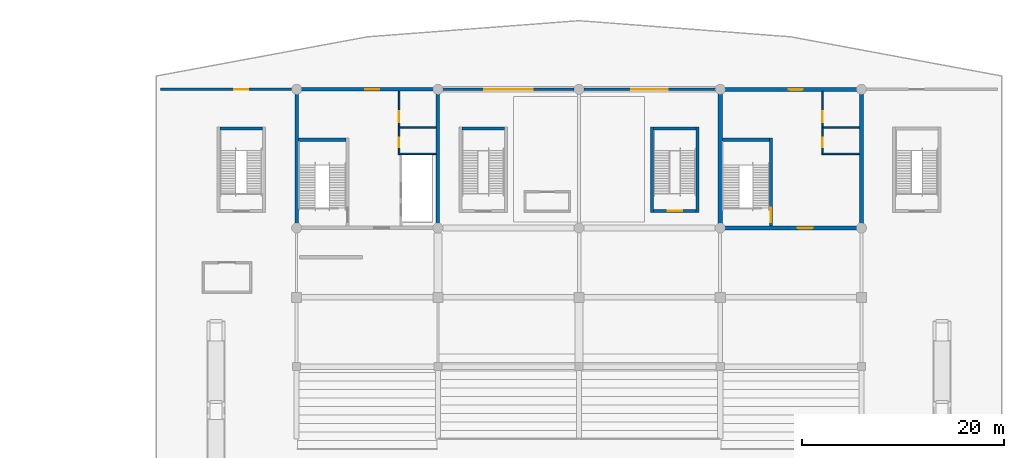
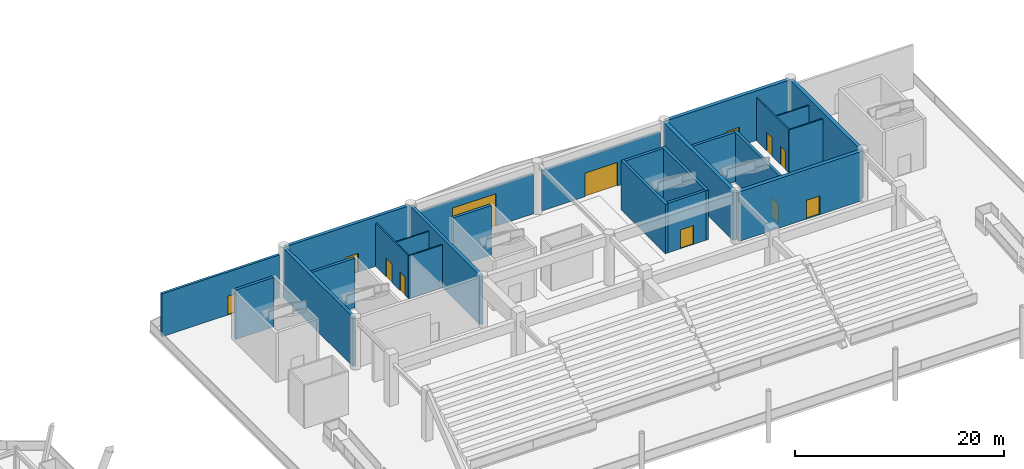
# One storey, part 49 of 73: 25 walls, 12 doors, 12 openings.
"""IFC4 building model written with IfcOpenShell, lengths in metres."""

import ifcopenshell
import ifcopenshell.guid

model = None  # the IFC model being written
_history = None  # IfcOwnerHistory: only IFC2X3 demands one
_inside = {}  # id of a spatial element -> (the spatial element, [elements in it])
_under = {}  # id of a project, library or spatial element -> (it, [spatial elements below it])
_declared = {}  # id of a project -> (the project, [libraries it declares])
_typed = {}  # id of a type object -> (the type object, [elements of that type])
_made_of = {}  # id of a material, layer set ... -> (it, [elements and type objects made of it])


def new_model(schema):
    """Start an empty IFC model of exactly this schema.

    Asked for "IFC4X3", IfcOpenShell would pick the latest addendum, in which some entities
    have other attributes; the version numbers below select the first issue.
    IFC2X3 requires an IfcOwnerHistory on every rooted entity: one is made here for all.
    """
    global model, _history
    if schema == "IFC4X3":
        model = ifcopenshell.file(schema_version=(4, 3, 0, 0))
    else:
        model = ifcopenshell.file(schema=schema)
    _inside.clear()
    _under.clear()
    _declared.clear()
    _typed.clear()
    _made_of.clear()
    _history = None
    if model.schema == "IFC2X3":
        org = make("IfcOrganization", Name="unknown")
        user = make(
            "IfcPersonAndOrganization",
            ThePerson=make("IfcPerson", FamilyName="unknown"),
            TheOrganization=org,
        )
        app = make(
            "IfcApplication",
            ApplicationDeveloper=org,
            Version="unknown",
            ApplicationFullName="unknown",
            ApplicationIdentifier="unknown",
        )
        _history = make(
            "IfcOwnerHistory",
            OwningUser=user,
            OwningApplication=app,
            ChangeAction="ADDED",
            CreationDate=0,
        )
    return model


def make(cls, **values):
    """One entity of the class cls with the attributes given. An attribute that is None is left unset."""
    return model.create_entity(
        cls, **{name: value for name, value in values.items() if value is not None}
    )


def rooted(cls, **values):
    """An entity with a GlobalId (a new one), such as an element, a storey or a relation."""
    return make(cls, GlobalId=ifcopenshell.guid.new(), OwnerHistory=_history, **values)


def si_unit(unit_type, name, prefix=None):
    """IfcSIUnit, for example si_unit("LENGTHUNIT", "METRE", prefix="MILLI")."""
    return make("IfcSIUnit", UnitType=unit_type, Prefix=prefix, Name=name)


def assignment(units):
    """IfcUnitAssignment: the units of a project."""
    return None if units is None else make("IfcUnitAssignment", Units=units)


def point(xyz):
    """IfcCartesianPoint."""
    return None if xyz is None else make("IfcCartesianPoint", Coordinates=xyz)


def direction(xyz):
    """IfcDirection."""
    return None if xyz is None else make("IfcDirection", DirectionRatios=xyz)


def frame(location, z_axis=None, x_axis=None):
    """IfcAxis2Placement3D, a coordinate frame: its origin and axes. An axis left out is left unset."""
    return make(
        "IfcAxis2Placement3D",
        Location=point(location),
        Axis=direction(z_axis),
        RefDirection=direction(x_axis),
    )


def frame_2d(location, x_axis=None):
    """IfcAxis2Placement2D, a coordinate frame in the plane: its origin and x axis."""
    return make(
        "IfcAxis2Placement2D", Location=point(location), RefDirection=direction(x_axis)
    )


def origin():
    """The frame at (0, 0, 0) with its axes left unset."""
    return frame((0.0, 0.0, 0.0))


def place(relative_to, where):
    """IfcLocalPlacement: puts the frame where relative to a parent placement (None: the world)."""
    return make(
        "IfcLocalPlacement", PlacementRelTo=relative_to, RelativePlacement=where
    )


def context(
    kind, dimensions, precision=None, world=None, true_north=None, identifier=None
):
    """IfcGeometricRepresentationContext, for example the 3D "Model" context."""
    return make(
        "IfcGeometricRepresentationContext",
        ContextIdentifier=identifier,
        ContextType=kind,
        CoordinateSpaceDimension=dimensions,
        Precision=precision,
        WorldCoordinateSystem=world,
        TrueNorth=true_north,
    )


def subcontext(parent, identifier, kind, view, scale=None):
    """IfcGeometricRepresentationSubContext, for example "Body" below "Model"."""
    return make(
        "IfcGeometricRepresentationSubContext",
        ContextIdentifier=identifier,
        ContextType=kind,
        ParentContext=parent,
        TargetScale=scale,
        TargetView=view,
    )


def project(units=None, contexts=None):
    """IfcProject with its units and contexts."""
    return rooted(
        "IfcProject",
        Name="project",
        RepresentationContexts=contexts,
        UnitsInContext=assignment(units),
    )


def spatial(cls, under=None, at=None, **own):
    """A site, building, storey or space (cls), placed at a placement, below another one or the project."""
    s = rooted(cls, ObjectPlacement=at, **own)
    if under is not None:
        _under.setdefault(under.id(), (under, []))[1].append(s)
    return s


def profile(cls, at=None, kind="AREA", **sizes):
    """A parametric profile (cls). Its sizes go by their IFC names, for example OverallWidth=200.0."""
    return make(cls, ProfileType=kind, Position=at, **sizes)


def rectangle(**sizes):
    """IfcRectangleProfileDef."""
    return profile("IfcRectangleProfileDef", **sizes)


def extrude(swept, where, along, depth):
    """IfcExtrudedAreaSolid: the profile swept, set in the frame where, extruded along a direction by depth."""
    return make(
        "IfcExtrudedAreaSolid",
        SweptArea=swept,
        Position=where,
        ExtrudedDirection=direction(along),
        Depth=depth,
    )


def shape(context_of_items, identifier, shape_type, items):
    """IfcShapeRepresentation: the items that make up one representation, for example the "Body"."""
    return make(
        "IfcShapeRepresentation",
        ContextOfItems=context_of_items,
        RepresentationIdentifier=identifier,
        RepresentationType=shape_type,
        Items=items,
    )


def material(Name=None, Category=None):
    """IfcMaterial."""
    return make("IfcMaterial", Name=Name, Category=Category)


def layer(
    of_material, thickness, ventilated=None, Name=None, Category=None, Priority=None
):
    """IfcMaterialLayer: one layer of a wall or slab, of a material (None: an air gap)."""
    return make(
        "IfcMaterialLayer",
        Material=of_material,
        LayerThickness=thickness,
        IsVentilated=ventilated,
        Name=Name,
        Category=Category,
        Priority=Priority,
    )


def layer_set(layers, Name=None):
    """IfcMaterialLayerSet."""
    return make("IfcMaterialLayerSet", MaterialLayers=layers, LayerSetName=Name)


def made_of(thing, what):
    """Note that an element or type object is made of a material, layer set ...; save() writes the relation."""
    if what is not None:
        _made_of.setdefault(what.id(), (what, []))[1].append(thing)
    return thing


def type_object(cls, material=None, **own):
    """A type object (cls), such as IfcWallType, which elements share."""
    return made_of(rooted(cls, **own), material)


def element(
    cls,
    number,
    at=None,
    inside=None,
    cuts=None,
    type_object=None,
    material=None,
    context=None,
    identifier="Body",
    shape_type=None,
    held_by="IfcProductDefinitionShape",
    body=None,
    shapes=None,
    **own,
):
    """One element of the class cls, such as IfcWall. Its Tag is "e" and its number.

    at: its placement. inside: the storey or other place that contains it. cuts: it is an
    opening in that element (IfcRelVoidsElement). A single representation is given by context,
    identifier, shape_type and body (its items); several are given by shapes. held_by: the class
    of the entity that holds the representations. save() writes the other relations.
    """
    e = rooted(cls, Tag="e%d" % number, ObjectPlacement=at, **own)
    if body is not None:
        shapes = [shape(context, identifier, shape_type, body)]
    if shapes is not None:
        e.Representation = make(held_by, Representations=shapes)
    if inside is not None:
        _inside.setdefault(inside.id(), (inside, []))[1].append(e)
    if cuts is not None:
        rooted(
            "IfcRelVoidsElement", RelatingBuildingElement=cuts, RelatedOpeningElement=e
        )
    if type_object is not None:
        _typed.setdefault(type_object.id(), (type_object, []))[1].append(e)
    return made_of(e, material)


def fill(opening, filler):
    """IfcRelFillsElement: the door or window that sits in an opening."""
    return rooted(
        "IfcRelFillsElement",
        RelatingOpeningElement=opening,
        RelatedBuildingElement=filler,
    )


def aggregate(whole, parts):
    """IfcRelAggregates: a whole, such as a stair, and the parts it consists of."""
    return rooted("IfcRelAggregates", RelatingObject=whole, RelatedObjects=parts)


def save(model, path):
    """Write the relations noted so far, then the file.

    IfcRelAggregates (storeys below a building ...), IfcRelContainedInSpatialStructure (elements
    in a storey), IfcRelDefinesByType, IfcRelAssociatesMaterial and IfcRelDeclares: one each for
    every whole, place, type object, material and project.
    """
    for whole, parts in _under.values():
        aggregate(whole, parts)
    for where, things in _inside.values():
        rooted(
            "IfcRelContainedInSpatialStructure",
            RelatedElements=things,
            RelatingStructure=where,
        )
    for kind, things in _typed.values():
        rooted("IfcRelDefinesByType", RelatedObjects=things, RelatingType=kind)
    for what, things in _made_of.values():
        rooted("IfcRelAssociatesMaterial", RelatedObjects=things, RelatingMaterial=what)
    for by, libraries in _declared.values():
        rooted("IfcRelDeclares", RelatingContext=by, RelatedDefinitions=libraries)
    model.write(path)


model = new_model("IFC4")

# Units and contexts
model_context = context("Model", 3, precision=1e-05, world=origin(), true_north=direction((0.0, 1.0)))
body_context = subcontext(model_context, "Body", "Model", "MODEL_VIEW")
ifc_project = project(units=[si_unit("LENGTHUNIT", "METRE"), si_unit("AREAUNIT", "SQUARE_METRE"), si_unit("VOLUMEUNIT", "CUBIC_METRE"), si_unit("PLANEANGLEUNIT", "RADIAN"), si_unit("MASSUNIT", "GRAM", prefix="KILO")], contexts=[model_context])

# Site, building, storey
site_placement = place(None, origin())
site = spatial("IfcSite", under=ifc_project, at=site_placement, CompositionType="ELEMENT")
building_placement = place(site_placement, origin())
building = spatial("IfcBuilding", under=site, at=building_placement, Name="Linyun Crest Stadium", CompositionType="ELEMENT")
storey_placement = place(building_placement, origin())
storey = spatial("IfcBuildingStorey", under=building, at=storey_placement, Name="L01", CompositionType="ELEMENT", Elevation=0.0)

# Walls
ifc_material_1 = material(Name="Concrete C50", Category="concrete")
ifc_layer_1 = layer(ifc_material_1, 0.35009765625)
ifc_layer_set_1 = layer_set([ifc_layer_1], Name="Concrete C50")
wall_type_1 = type_object("IfcWallType", Name="CW01", PredefinedType="SHEAR", material=ifc_layer_set_1)
for number, where, z_axis, x_axis, name in (
    (1, (-28.0, 91.675048828125, 0.0), (0.0, 0.0, 1.0), (0.0, 1.0, 0.0), "Core shear wall CW01 CORE-N1 L01.1"),
    (2, (-14.0, 91.675048828125, 0.0), (0.0, 0.0, 1.0), (0.0, 1.0, 0.0), "Core shear wall CW01 CORE-N1 L01.2"),
):
    element("IfcWall", number, at=place(storey_placement, frame(where, z_axis=z_axis, x_axis=x_axis)), inside=storey, type_object=wall_type_1, Name=name, PredefinedType="SHEAR", context=body_context, shape_type="SweptSolid", body=[
        extrude(rectangle(XDim=13.39990234375, YDim=0.35009765625, at=frame_2d((6.699951171875, 0.0))), origin(), (0.0, 0.0, 1.0), 5.780029296875),
    ])

# Wall, opening, door
wall_1_placement = place(storey_placement, frame((-27.824951171875, 105.25, 0.0), z_axis=(0.0, 0.0, 1.0), x_axis=(1.0, 0.0, 0.0)))
wall_1 = element("IfcWall", 3, at=wall_1_placement, inside=storey, type_object=wall_type_1, Name="Core shear wall CW01 CORE-N1 L01.4", PredefinedType="SHEAR", context=body_context, shape_type="SweptSolid", body=[
    extrude(rectangle(XDim=13.64990234375, YDim=0.35009765625, at=frame_2d((6.824951171875, 0.0))), origin(), (0.0, 0.0, 1.0), 5.780029296875),
])
opening_1_placement = place(wall_1_placement, frame((6.60009765625, 0.0, 0.0)))
opening_1 = element("IfcOpeningElement", 4, at=opening_1_placement, cuts=wall_1, Name="Opening E-ST07", PredefinedType="OPENING", context=body_context, shape_type="SweptSolid", body=[
    extrude(rectangle(XDim=1.39990234375, YDim=2.199951171875, at=frame_2d((0.699951171875, 1.10009765625))), frame((0.0, 0.18505859375, 0.0), z_axis=(0.0, -1.0, 0.0), x_axis=(1.0, 0.0, 0.0)), (0.0, 0.0, 1.0), 0.3701171875),
])
ifc_material_2 = material(Name="Galvanized fire-rated steel leaf", Category="steel")
ifc_layer_2 = layer(ifc_material_2, 0.054931640625)
ifc_layer_set_2 = layer_set([ifc_layer_2], Name="Galvanized fire-rated steel leaf")
door_type_1 = type_object("IfcDoorType", Name="FD09", OperationType="NOTDEFINED", PredefinedType="DOOR", material=ifc_layer_set_2)
door_1_placement = place(opening_1_placement, origin())
door_1 = element("IfcDoor", 5, at=door_1_placement, inside=storey, type_object=door_type_1, Name="Stair STR-07 direct exterior exit E-ST07", OperationType="SINGLE_SWING_LEFT", OverallHeight=2.199951171875, OverallWidth=1.39990234375, PredefinedType="DOOR", context=body_context, shape_type="SweptSolid", body=[
    extrude(rectangle(XDim=1.39990234375, YDim=2.199951171875, at=frame_2d((0.699951171875, 1.10009765625))), frame((0.0, 0.02490234375, 0.0), z_axis=(0.0, -1.0, 0.0), x_axis=(1.0, 0.0, 0.0)), (0.0, 0.0, 1.0), 0.050048828125),
])
fill(opening_1, door_1)

# Walls
ifc_material_3 = material(Name="Concrete C50", Category="concrete")
ifc_layer_3 = layer(ifc_material_3, 0.39990234375)
ifc_layer_set_3 = layer_set([ifc_layer_3], Name="Concrete C50")
wall_type_2 = type_object("IfcWallType", Name="CW02", PredefinedType="SHEAR", material=ifc_layer_set_3)
for number, where, z_axis, x_axis, name in (
    (6, (14.0, 91.699951171875, 0.0), (0.0, 0.0, 1.0), (0.0, 1.0, 0.0), "Core shear wall CW02 CORE-N2 L01.1"),
    (7, (28.0, 91.699951171875, 0.0), (0.0, 0.0, 1.0), (0.0, 1.0, 0.0), "Core shear wall CW02 CORE-N2 L01.2"),
):
    element("IfcWall", number, at=place(storey_placement, frame(where, z_axis=z_axis, x_axis=x_axis)), inside=storey, type_object=wall_type_2, Name=name, PredefinedType="SHEAR", context=body_context, shape_type="SweptSolid", body=[
        extrude(rectangle(XDim=13.35009765625, YDim=0.39990234375, at=frame_2d((6.675048828125, 0.0))), origin(), (0.0, 0.0, 1.0), 5.780029296875),
    ])

# Wall, opening, door
wall_2_placement = place(storey_placement, frame((14.199951171875, 91.5, 0.0), z_axis=(0.0, 0.0, 1.0), x_axis=(1.0, 0.0, 0.0)))
wall_2 = element("IfcWall", 8, at=wall_2_placement, inside=storey, type_object=wall_type_2, Name="Core shear wall CW02 CORE-N2 L01.3", PredefinedType="SHEAR", context=body_context, shape_type="SweptSolid", body=[
    extrude(rectangle(XDim=13.60009765625, YDim=0.39990234375, at=frame_2d((6.800048828125, 0.0))), origin(), (0.0, 0.0, 1.0), 5.780029296875),
])
opening_2_placement = place(wall_2_placement, frame((7.47998046875, 0.0, 0.0)))
opening_2 = element("IfcOpeningElement", 9, at=opening_2_placement, cuts=wall_2, Name="Opening D-L01-296", PredefinedType="OPENING", context=body_context, shape_type="SweptSolid", body=[
    extrude(rectangle(XDim=1.5, YDim=2.199951171875, at=frame_2d((0.75, 1.10009765625))), frame((0.0, 0.2099609375, 0.0), z_axis=(0.0, -1.0, 0.0), x_axis=(1.0, 0.0, 0.0)), (0.0, 0.0, 1.0), 0.419921875),
])
ifc_material_4 = material(Name="Galvanized steel Class A fire door", Category="steel")
ifc_layer_4 = layer(ifc_material_4, 0.054931640625)
ifc_layer_set_4 = layer_set([ifc_layer_4], Name="Galvanized steel Class A fire door")
door_type_2 = type_object("IfcDoorType", Name="FD01", OperationType="NOTDEFINED", PredefinedType="DOOR", material=ifc_layer_set_4)
door_2_placement = place(opening_2_placement, origin())
door_2 = element("IfcDoor", 10, at=door_2_placement, inside=storey, type_object=door_type_2, Name="Door D-L01-296", OperationType="SINGLE_SWING_RIGHT", OverallHeight=2.199951171875, OverallWidth=1.5, PredefinedType="DOOR", context=body_context, shape_type="SweptSolid", body=[
    extrude(rectangle(XDim=1.5, YDim=2.199951171875, at=frame_2d((0.75, 1.10009765625))), frame((0.0, 0.02490234375, 0.0), z_axis=(0.0, -1.0, 0.0), x_axis=(1.0, 0.0, 0.0)), (0.0, 0.0, 1.0), 0.050048828125),
])
fill(opening_2, door_2)

wall_3_placement = place(storey_placement, frame((14.199951171875, 105.25, 0.0), z_axis=(0.0, 0.0, 1.0), x_axis=(1.0, 0.0, 0.0)))
wall_3 = element("IfcWall", 11, at=wall_3_placement, inside=storey, type_object=wall_type_2, Name="Core shear wall CW02 CORE-N2 L01.4", PredefinedType="SHEAR", context=body_context, shape_type="SweptSolid", body=[
    extrude(rectangle(XDim=13.60009765625, YDim=0.39990234375, at=frame_2d((6.800048828125, 0.0))), origin(), (0.0, 0.0, 1.0), 5.780029296875),
])
opening_3_placement = place(wall_3_placement, frame((6.60009765625, 0.0, 0.0)))
opening_3 = element("IfcOpeningElement", 12, at=opening_3_placement, cuts=wall_3, Name="Opening E-ST08", PredefinedType="OPENING", context=body_context, shape_type="SweptSolid", body=[
    extrude(rectangle(XDim=1.39990234375, YDim=2.199951171875, at=frame_2d((0.699951171875, 1.10009765625))), frame((0.0, 0.2099609375, 0.0), z_axis=(0.0, -1.0, 0.0), x_axis=(1.0, 0.0, 0.0)), (0.0, 0.0, 1.0), 0.419921875),
])
door_3_placement = place(opening_3_placement, origin())
door_3 = element("IfcDoor", 13, at=door_3_placement, inside=storey, type_object=door_type_1, Name="Stair STR-08 direct exterior exit E-ST08", OperationType="SINGLE_SWING_LEFT", OverallHeight=2.199951171875, OverallWidth=1.39990234375, PredefinedType="DOOR", context=body_context, shape_type="SweptSolid", body=[
    extrude(rectangle(XDim=1.39990234375, YDim=2.199951171875, at=frame_2d((0.699951171875, 1.10009765625))), frame((0.0, 0.02490234375, 0.0), z_axis=(0.0, -1.0, 0.0), x_axis=(1.0, 0.0, 0.0)), (0.0, 0.0, 1.0), 0.050048828125),
])
fill(opening_3, door_3)

ifc_material_5 = material(Name="Precast concrete C40 architectural ribbed panel", Category="concrete")
ifc_layer_5 = layer(ifc_material_5, 0.260009765625)
ifc_layer_set_5 = layer_set([ifc_layer_5], Name="Precast concrete C40 architectural ribbed panel")
wall_type_3 = type_object("IfcWallType", Name="EW02", PredefinedType="SOLIDWALL", material=ifc_layer_set_5)
wall_4_placement = place(storey_placement, frame((-41.5, 105.25, 0.0), z_axis=(0.0, 0.0, 1.0), x_axis=(1.0, 0.0, 0.0)))
wall_4 = element("IfcWall", 14, at=wall_4_placement, inside=storey, type_object=wall_type_3, Name="Exterior wall EW02 L01 28", PredefinedType="SOLIDWALL", context=body_context, shape_type="SweptSolid", body=[
    extrude(rectangle(XDim=13.0, YDim=0.260009765625, at=frame_2d((6.5, 0.0))), origin(), (0.0, 0.0, 1.0), 5.02001953125),
])
opening_4_placement = place(wall_4_placement, frame((7.300048828125, 0.0, 0.0)))
opening_4 = element("IfcOpeningElement", 15, at=opening_4_placement, cuts=wall_4, Name="Opening E-ST23", PredefinedType="OPENING", context=body_context, shape_type="SweptSolid", body=[
    extrude(rectangle(XDim=1.39990234375, YDim=2.199951171875, at=frame_2d((0.699951171875, 1.10009765625))), frame((0.0, 0.139892578125, 0.0), z_axis=(0.0, -1.0, 0.0), x_axis=(1.0, 0.0, 0.0)), (0.0, 0.0, 1.0), 0.280029296875),
])
door_4_placement = place(opening_4_placement, origin())
door_4 = element("IfcDoor", 16, at=door_4_placement, inside=storey, type_object=door_type_1, Name="Stair discharge exit E-ST23", OperationType="SINGLE_SWING_RIGHT", OverallHeight=2.199951171875, OverallWidth=1.39990234375, PredefinedType="DOOR", context=body_context, shape_type="SweptSolid", body=[
    extrude(rectangle(XDim=1.39990234375, YDim=2.199951171875, at=frame_2d((0.699951171875, 1.10009765625))), frame((0.0, 0.02490234375, 0.0), z_axis=(0.0, -1.0, 0.0), x_axis=(1.0, 0.0, 0.0)), (0.0, 0.0, 1.0), 0.050048828125),
])
fill(opening_4, door_4)

wall_5_placement = place(storey_placement, frame((-13.52001953125, 105.25, 0.0), z_axis=(0.0, 0.0, 1.0), x_axis=(1.0, 0.0, 0.0)))
wall_5 = element("IfcWall", 17, at=wall_5_placement, inside=storey, type_object=wall_type_3, Name="Exterior wall EW02 L01 33", PredefinedType="SOLIDWALL", context=body_context, shape_type="SweptSolid", body=[
    extrude(rectangle(XDim=13.0400390625, YDim=0.260009765625, at=frame_2d((6.52001953125, 0.0))), origin(), (0.0, 0.0, 1.0), 4.655029296875),
])
opening_5_placement = place(wall_5_placement, frame((4.1201171875, 0.0, 0.0)))
opening_5 = element("IfcOpeningElement", 18, at=opening_5_placement, cuts=wall_5, Name="Opening VG01", PredefinedType="OPENING", context=body_context, shape_type="SweptSolid", body=[
    extrude(rectangle(XDim=4.800048828125, YDim=3.800048828125, at=frame_2d((2.39990234375, 1.89990234375))), frame((0.0, 0.139892578125, 0.0), z_axis=(0.0, -1.0, 0.0), x_axis=(1.0, 0.0, 0.0)), (0.0, 0.0, 1.0), 0.280029296875),
])
ifc_material_6 = material(Name="Heavy insulated steel bi-parting portal", Category="steel")
ifc_layer_6 = layer(ifc_material_6, 0.080078125)
ifc_layer_set_6 = layer_set([ifc_layer_6], Name="Heavy insulated steel bi-parting portal")
door_type_3 = type_object("IfcDoorType", Name="VG01", OperationType="NOTDEFINED", PredefinedType="DOOR", material=ifc_layer_set_6)
door_5_placement = place(opening_5_placement, origin())
door_5 = element("IfcDoor", 19, at=door_5_placement, inside=storey, type_object=door_type_3, Name="North vehicle fire portal VG01", OperationType="DOUBLE_DOOR_SINGLE_SWING", OverallHeight=3.800048828125, OverallWidth=4.800048828125, PredefinedType="DOOR", context=body_context, shape_type="SweptSolid", body=[
    extrude(rectangle(XDim=4.800048828125, YDim=3.800048828125, at=frame_2d((2.39990234375, 1.89990234375))), frame((0.0, 0.02490234375, 0.0), z_axis=(0.0, -1.0, 0.0), x_axis=(1.0, 0.0, 0.0)), (0.0, 0.0, 1.0), 0.050048828125),
])
fill(opening_5, door_5)

wall_6_placement = place(storey_placement, frame((0.47998046875, 105.25, 0.0), z_axis=(0.0, 0.0, 1.0), x_axis=(1.0, 0.0, 0.0)))
wall_6 = element("IfcWall", 20, at=wall_6_placement, inside=storey, type_object=wall_type_3, Name="Exterior wall EW02 L01 35", PredefinedType="SOLIDWALL", context=body_context, shape_type="SweptSolid", body=[
    extrude(rectangle(XDim=13.0400390625, YDim=0.260009765625, at=frame_2d((6.52001953125, 0.0))), origin(), (0.0, 0.0, 1.0), 4.655029296875),
])
opening_6_placement = place(wall_6_placement, frame((4.719970703125, 0.0, 0.0)))
opening_6 = element("IfcOpeningElement", 21, at=opening_6_placement, cuts=wall_6, Name="Opening E10", PredefinedType="OPENING", context=body_context, shape_type="SweptSolid", body=[
    extrude(rectangle(XDim=3.60009765625, YDim=2.75, at=frame_2d((1.800048828125, 1.375))), frame((0.0, 0.139892578125, 0.0), z_axis=(0.0, -1.0, 0.0), x_axis=(1.0, 0.0, 0.0)), (0.0, 0.0, 1.0), 0.280029296875),
])
ifc_material_7 = material(Name="Verdigris painted steel and laminated glass", Category="steel")
ifc_layer_7 = layer(ifc_material_7, 0.06005859375)
ifc_layer_set_7 = layer_set([ifc_layer_7], Name="Verdigris painted steel and laminated glass")
door_type_4 = type_object("IfcDoorType", Name="ED02", OperationType="NOTDEFINED", PredefinedType="DOOR", material=ifc_layer_set_7)
door_6_placement = place(opening_6_placement, origin())
door_6 = element("IfcDoor", 22, at=door_6_placement, inside=storey, type_object=door_type_4, Name="Main entrance E10", OperationType="DOUBLE_DOOR_SINGLE_SWING", OverallHeight=2.75, OverallWidth=3.60009765625, PredefinedType="DOOR", context=body_context, shape_type="SweptSolid", body=[
    extrude(rectangle(XDim=3.60009765625, YDim=2.75, at=frame_2d((1.800048828125, 1.375))), frame((0.0, 0.02490234375, 0.0), z_axis=(0.0, -1.0, 0.0), x_axis=(1.0, 0.0, 0.0)), (0.0, 0.0, 1.0), 0.050048828125),
])
fill(opening_6, door_6)

# Wall, openings, doors
ifc_material_8 = material(Name="Moisture-resistant ceramic-tiled wet-room wall")
ifc_layer_8 = layer(ifc_material_8, 0.139892578125)
ifc_layer_set_8 = layer_set([ifc_layer_8], Name="Moisture-resistant ceramic-tiled wet-room wall")
wall_type_4 = type_object("IfcWallType", Name="PW15", PredefinedType="PARTITIONING", material=ifc_layer_set_8)
wall_7_placement = place(storey_placement, frame((-17.85009765625, 98.919921875, 0.0), z_axis=(0.0, 0.0, 1.0), x_axis=(0.0, 1.0, 0.0)))
wall_7 = element("IfcWall", 23, at=wall_7_placement, inside=storey, type_object=wall_type_4, Name="Partition PW15 L01 96", PredefinedType="PARTITIONING", context=body_context, shape_type="SweptSolid", body=[
    extrude(rectangle(XDim=6.155029296875, YDim=0.139892578125, at=frame_2d((3.07763671875, 0.0))), origin(), (0.0, 0.0, 1.0), 5.02001953125),
])
opening_7_placement = place(wall_7_placement, frame((0.580078125, 0.0, 0.0)))
opening_7 = element("IfcOpeningElement", 24, at=opening_7_placement, cuts=wall_7, Name="Opening D-L01-266", PredefinedType="OPENING", context=body_context, shape_type="SweptSolid", body=[
    extrude(rectangle(XDim=0.949951171875, YDim=2.14990234375, at=frame_2d((0.47509765625, 1.074951171875))), frame((0.0, 0.079833984375, 0.0), z_axis=(0.0, -1.0, 0.0), x_axis=(1.0, 0.0, 0.0)), (0.0, 0.0, 1.0), 0.159912109375),
])
opening_8_placement = place(wall_7_placement, frame((3.080078125, 0.0, 0.0)))
opening_8 = element("IfcOpeningElement", 25, at=opening_8_placement, cuts=wall_7, Name="Opening D-L01-267", PredefinedType="OPENING", context=body_context, shape_type="SweptSolid", body=[
    extrude(rectangle(XDim=1.10009765625, YDim=2.14990234375, at=frame_2d((0.550048828125, 1.074951171875))), frame((0.0, 0.079833984375, 0.0), z_axis=(0.0, -1.0, 0.0), x_axis=(1.0, 0.0, 0.0)), (0.0, 0.0, 1.0), 0.159912109375),
])
ifc_material_9 = material(Name="Moisture-resistant laminate leaf")
ifc_layer_9 = layer(ifc_material_9, 0.044921875)
ifc_layer_set_9 = layer_set([ifc_layer_9], Name="Moisture-resistant laminate leaf")
door_type_5 = type_object("IfcDoorType", Name="ID02", OperationType="NOTDEFINED", PredefinedType="DOOR", material=ifc_layer_set_9)
door_7_placement = place(opening_7_placement, origin())
door_7 = element("IfcDoor", 26, at=door_7_placement, inside=storey, type_object=door_type_5, Name="Door D-L01-266", OperationType="SINGLE_SWING_RIGHT", OverallHeight=2.14990234375, OverallWidth=0.949951171875, PredefinedType="DOOR", context=body_context, shape_type="SweptSolid", body=[
    extrude(rectangle(XDim=0.949951171875, YDim=2.14990234375, at=frame_2d((0.47509765625, 1.074951171875))), frame((0.0, 0.02490234375, 0.0), z_axis=(0.0, -1.0, 0.0), x_axis=(1.0, 0.0, 0.0)), (0.0, 0.0, 1.0), 0.050048828125),
])
fill(opening_7, door_7)
ifc_material_10 = material(Name="Moisture-resistant laminate leaf")
ifc_layer_10 = layer(ifc_material_10, 0.044921875)
ifc_layer_set_10 = layer_set([ifc_layer_10], Name="Moisture-resistant laminate leaf")
door_type_6 = type_object("IfcDoorType", Name="ID03", OperationType="NOTDEFINED", PredefinedType="DOOR", material=ifc_layer_set_10)
door_8_placement = place(opening_8_placement, origin())
door_8 = element("IfcDoor", 27, at=door_8_placement, inside=storey, type_object=door_type_6, Name="Door D-L01-267", OperationType="SINGLE_SWING_LEFT", OverallHeight=2.14990234375, OverallWidth=1.10009765625, PredefinedType="DOOR", context=body_context, shape_type="SweptSolid", body=[
    extrude(rectangle(XDim=1.10009765625, YDim=2.14990234375, at=frame_2d((0.550048828125, 1.074951171875))), frame((0.0, 0.02490234375, 0.0), z_axis=(0.0, -1.0, 0.0), x_axis=(1.0, 0.0, 0.0)), (0.0, 0.0, 1.0), 0.050048828125),
])
fill(opening_8, door_8)

wall_8_placement = place(storey_placement, frame((24.14990234375, 98.919921875, 0.0), z_axis=(0.0, 0.0, 1.0), x_axis=(0.0, 1.0, 0.0)))
wall_8 = element("IfcWall", 28, at=wall_8_placement, inside=storey, type_object=wall_type_4, Name="Partition PW15 L01 106", PredefinedType="PARTITIONING", context=body_context, shape_type="SweptSolid", body=[
    extrude(rectangle(XDim=6.130126953125, YDim=0.139892578125, at=frame_2d((3.06494140625, 0.0))), origin(), (0.0, 0.0, 1.0), 5.02001953125),
])
opening_9_placement = place(wall_8_placement, frame((0.580078125, 0.0, 0.0)))
opening_9 = element("IfcOpeningElement", 29, at=opening_9_placement, cuts=wall_8, Name="Opening D-L01-298", PredefinedType="OPENING", context=body_context, shape_type="SweptSolid", body=[
    extrude(rectangle(XDim=0.949951171875, YDim=2.14990234375, at=frame_2d((0.47509765625, 1.074951171875))), frame((0.0, 0.079833984375, 0.0), z_axis=(0.0, -1.0, 0.0), x_axis=(1.0, 0.0, 0.0)), (0.0, 0.0, 1.0), 0.159912109375),
])
opening_10_placement = place(wall_8_placement, frame((3.080078125, 0.0, 0.0)))
opening_10 = element("IfcOpeningElement", 30, at=opening_10_placement, cuts=wall_8, Name="Opening D-L01-299", PredefinedType="OPENING", context=body_context, shape_type="SweptSolid", body=[
    extrude(rectangle(XDim=1.10009765625, YDim=2.14990234375, at=frame_2d((0.550048828125, 1.074951171875))), frame((0.0, 0.079833984375, 0.0), z_axis=(0.0, -1.0, 0.0), x_axis=(1.0, 0.0, 0.0)), (0.0, 0.0, 1.0), 0.159912109375),
])
door_9_placement = place(opening_9_placement, origin())
door_9 = element("IfcDoor", 31, at=door_9_placement, inside=storey, type_object=door_type_5, Name="Door D-L01-298", OperationType="SINGLE_SWING_RIGHT", OverallHeight=2.14990234375, OverallWidth=0.949951171875, PredefinedType="DOOR", context=body_context, shape_type="SweptSolid", body=[
    extrude(rectangle(XDim=0.949951171875, YDim=2.14990234375, at=frame_2d((0.47509765625, 1.074951171875))), frame((0.0, 0.02490234375, 0.0), z_axis=(0.0, -1.0, 0.0), x_axis=(1.0, 0.0, 0.0)), (0.0, 0.0, 1.0), 0.050048828125),
])
fill(opening_9, door_9)
door_10_placement = place(opening_10_placement, origin())
door_10 = element("IfcDoor", 32, at=door_10_placement, inside=storey, type_object=door_type_6, Name="Door D-L01-299", OperationType="SINGLE_SWING_LEFT", OverallHeight=2.14990234375, OverallWidth=1.10009765625, PredefinedType="DOOR", context=body_context, shape_type="SweptSolid", body=[
    extrude(rectangle(XDim=1.10009765625, YDim=2.14990234375, at=frame_2d((0.550048828125, 1.074951171875))), frame((0.0, 0.02490234375, 0.0), z_axis=(0.0, -1.0, 0.0), x_axis=(1.0, 0.0, 0.0)), (0.0, 0.0, 1.0), 0.050048828125),
])
fill(opening_10, door_10)

# Walls
wall_9_placement = place(storey_placement, frame((-17.919921875, 98.85009765625, 0.0), z_axis=(0.0, 0.0, 1.0), x_axis=(1.0, 0.0, 0.0)))
element("IfcWall", 33, at=wall_9_placement, inside=storey, type_object=wall_type_4, Name="Enclosure partition PW15 L01 81", PredefinedType="PARTITIONING", context=body_context, shape_type="SweptSolid", body=[
    extrude(rectangle(XDim=3.744873046875, YDim=0.139892578125, at=frame_2d((1.87255859375, 0.0))), origin(), (0.0, 0.0, 1.0), 5.02001953125),
])
wall_10_placement = place(storey_placement, frame((-17.780029296875, 101.449951171875, 0.0), z_axis=(0.0, 0.0, 1.0), x_axis=(1.0, 0.0, 0.0)))
element("IfcWall", 34, at=wall_10_placement, inside=storey, type_object=wall_type_4, Name="Enclosure partition PW15 L01 82", PredefinedType="PARTITIONING", context=body_context, shape_type="SweptSolid", body=[
    extrude(rectangle(XDim=3.60498046875, YDim=0.139892578125, at=frame_2d((1.802490234375, 0.0))), origin(), (0.0, 0.0, 1.0), 5.02001953125),
])
wall_11_placement = place(storey_placement, frame((24.080078125, 98.85009765625, 0.0), z_axis=(0.0, 0.0, 1.0), x_axis=(1.0, 0.0, 0.0)))
element("IfcWall", 35, at=wall_11_placement, inside=storey, type_object=wall_type_4, Name="Enclosure partition PW15 L01 93", PredefinedType="PARTITIONING", context=body_context, shape_type="SweptSolid", body=[
    extrude(rectangle(XDim=3.719970703125, YDim=0.139892578125, at=frame_2d((1.85986328125, 0.0))), origin(), (0.0, 0.0, 1.0), 5.02001953125),
])
wall_12_placement = place(storey_placement, frame((24.219970703125, 101.449951171875, 0.0), z_axis=(0.0, 0.0, 1.0), x_axis=(1.0, 0.0, 0.0)))
element("IfcWall", 36, at=wall_12_placement, inside=storey, type_object=wall_type_4, Name="Enclosure partition PW15 L01 94", PredefinedType="PARTITIONING", context=body_context, shape_type="SweptSolid", body=[
    extrude(rectangle(XDim=3.580078125, YDim=0.139892578125, at=frame_2d((1.7900390625, 0.0))), origin(), (0.0, 0.0, 1.0), 5.02001953125),
])

# Wall, opening, door
ifc_material_11 = material(Name="Concrete C50", Category="concrete")
ifc_layer_11 = layer(ifc_material_11, 0.300048828125)
ifc_layer_set_11 = layer_set([ifc_layer_11], Name="Concrete C50")
wall_type_5 = type_object("IfcWallType", Name="SW01", PredefinedType="SHEAR", material=ifc_layer_set_11)
wall_13_placement = place(storey_placement, frame((19.050048828125, 91.699951171875, 0.0), z_axis=(0.0, 0.0, 1.0), x_axis=(0.0, 1.0, 0.0)))
wall_13 = element("IfcWall", 37, at=wall_13_placement, inside=storey, type_object=wall_type_5, Name="Core stair east bearing wall SW01 8 L01", PredefinedType="SHEAR", context=body_context, shape_type="SweptSolid", body=[
    extrude(rectangle(XDim=8.699951171875, YDim=0.300048828125, at=frame_2d((4.35009765625, 0.0))), origin(), (0.0, 0.0, 1.0), 5.780029296875),
])
opening_11_placement = place(wall_13_placement, frame((0.3701171875, 0.0, 0.0)))
opening_11 = element("IfcOpeningElement", 38, at=opening_11_placement, cuts=wall_13, Name="Opening D-L01-297", PredefinedType="OPENING", context=body_context, shape_type="SweptSolid", body=[
    extrude(rectangle(XDim=1.449951171875, YDim=2.199951171875, at=frame_2d((0.72509765625, 1.10009765625))), frame((0.0, 0.159912109375, 0.0), z_axis=(0.0, -1.0, 0.0), x_axis=(1.0, 0.0, 0.0)), (0.0, 0.0, 1.0), 0.320068359375),
])
ifc_material_12 = material(Name="Galvanized steel Class A fire door", Category="steel")
ifc_layer_12 = layer(ifc_material_12, 0.054931640625)
ifc_layer_set_12 = layer_set([ifc_layer_12], Name="Galvanized steel Class A fire door")
door_type_7 = type_object("IfcDoorType", Name="FD02", OperationType="NOTDEFINED", PredefinedType="DOOR", material=ifc_layer_set_12)
door_11_placement = place(opening_11_placement, origin())
door_11 = element("IfcDoor", 39, at=door_11_placement, inside=storey, type_object=door_type_7, Name="Door D-L01-297", OperationType="SINGLE_SWING_LEFT", OverallHeight=2.199951171875, OverallWidth=1.449951171875, PredefinedType="DOOR", context=body_context, shape_type="SweptSolid", body=[
    extrude(rectangle(XDim=1.449951171875, YDim=2.199951171875, at=frame_2d((0.72509765625, 1.10009765625))), frame((0.0, 0.02490234375, 0.0), z_axis=(0.0, -1.0, 0.0), x_axis=(1.0, 0.0, 0.0)), (0.0, 0.0, 1.0), 0.050048828125),
])
fill(opening_11, door_11)

# Walls
wall_14_placement = place(storey_placement, frame((-27.824951171875, 100.25, 0.0), z_axis=(0.0, 0.0, 1.0), x_axis=(1.0, 0.0, 0.0)))
element("IfcWall", 40, at=wall_14_placement, inside=storey, type_object=wall_type_5, Name="Core stair bearing wall SW01 7 L01", PredefinedType="SHEAR", context=body_context, shape_type="SweptSolid", body=[
    extrude(rectangle(XDim=4.724853515625, YDim=0.300048828125, at=frame_2d((2.3623046875, 0.0))), origin(), (0.0, 0.0, 1.0), 5.780029296875),
])
wall_15_placement = place(storey_placement, frame((14.199951171875, 100.25, 0.0), z_axis=(0.0, 0.0, 1.0), x_axis=(1.0, 0.0, 0.0)))
element("IfcWall", 41, at=wall_15_placement, inside=storey, type_object=wall_type_5, Name="Core stair bearing wall SW01 8 L01", PredefinedType="SHEAR", context=body_context, shape_type="SweptSolid", body=[
    extrude(rectangle(XDim=4.699951171875, YDim=0.300048828125, at=frame_2d((2.35009765625, 0.0))), origin(), (0.0, 0.0, 1.0), 5.780029296875),
])
for number, where, z_axis, x_axis, name in (
    (42, (-35.60009765625, 101.35009765625, 0.0), (0.0, 0.0, 1.0), (1.0, 0.0, 0.0), "Stair shaft wall SW01 STR-23 L01 N"),
    (43, (-11.60009765625, 101.35009765625, 0.0), (0.0, 0.0, 1.0), (1.0, 0.0, 0.0), "Stair shaft wall SW01 STR-24 L01 N"),
):
    element("IfcWall", number, at=place(storey_placement, frame(where, z_axis=z_axis, x_axis=x_axis)), inside=storey, type_object=wall_type_5, Name=name, PredefinedType="SHEAR", context=body_context, shape_type="SweptSolid", body=[
        extrude(rectangle(XDim=4.2001953125, YDim=0.300048828125, at=frame_2d((2.10009765625, 0.0))), origin(), (0.0, 0.0, 1.0), 5.780029296875),
    ])

# Wall, opening, door
wall_16_placement = place(storey_placement, frame((7.39990234375, 93.199951171875, 0.0), z_axis=(0.0, 0.0, 1.0), x_axis=(1.0, 0.0, 0.0)))
wall_16 = element("IfcWall", 44, at=wall_16_placement, inside=storey, type_object=wall_type_5, Name="Stair shaft wall SW01 STR-25 L01 S", PredefinedType="SHEAR", context=body_context, shape_type="SweptSolid", body=[
    extrude(rectangle(XDim=4.2001953125, YDim=0.300048828125, at=frame_2d((2.10009765625, 0.0))), origin(), (0.0, 0.0, 1.0), 5.780029296875),
])
opening_12_placement = place(wall_16_placement, frame((1.375, 0.0, 0.0)))
opening_12 = element("IfcOpeningElement", 45, at=opening_12_placement, cuts=wall_16, Name="Opening D-L01-605", PredefinedType="OPENING", context=body_context, shape_type="SweptSolid", body=[
    extrude(rectangle(XDim=1.449951171875, YDim=2.199951171875, at=frame_2d((0.72509765625, 1.10009765625))), frame((0.0, 0.159912109375, 0.0), z_axis=(0.0, -1.0, 0.0), x_axis=(1.0, 0.0, 0.0)), (0.0, 0.0, 1.0), 0.320068359375),
])
door_12_placement = place(opening_12_placement, origin())
door_12 = element("IfcDoor", 46, at=door_12_placement, inside=storey, type_object=door_type_7, Name="Door D-L01-605", OperationType="SINGLE_SWING_LEFT", OverallHeight=2.199951171875, OverallWidth=1.449951171875, PredefinedType="DOOR", context=body_context, shape_type="SweptSolid", body=[
    extrude(rectangle(XDim=1.449951171875, YDim=2.199951171875, at=frame_2d((0.72509765625, 1.10009765625))), frame((0.0, 0.02490234375, 0.0), z_axis=(0.0, -1.0, 0.0), x_axis=(1.0, 0.0, 0.0)), (0.0, 0.0, 1.0), 0.050048828125),
])
fill(opening_12, door_12)

# Walls
wall_17_placement = place(storey_placement, frame((7.39990234375, 101.35009765625, 0.0), z_axis=(0.0, 0.0, 1.0), x_axis=(1.0, 0.0, 0.0)))
element("IfcWall", 47, at=wall_17_placement, inside=storey, type_object=wall_type_5, Name="Stair shaft wall SW01 STR-25 L01 N", PredefinedType="SHEAR", context=body_context, shape_type="SweptSolid", body=[
    extrude(rectangle(XDim=4.2001953125, YDim=0.300048828125, at=frame_2d((2.10009765625, 0.0))), origin(), (0.0, 0.0, 1.0), 5.780029296875),
])
for number, where, z_axis, x_axis, name in (
    (48, (7.25, 93.050048828125, 0.0), (0.0, 0.0, 1.0), (0.0, 1.0, 0.0), "Stair shaft wall SW01 STR-25 L01 W"),
    (49, (11.75, 93.050048828125, 0.0), (0.0, 0.0, 1.0), (0.0, 1.0, 0.0), "Stair shaft wall SW01 STR-25 L01 E"),
):
    element("IfcWall", number, at=place(storey_placement, frame(where, z_axis=z_axis, x_axis=x_axis)), inside=storey, type_object=wall_type_5, Name=name, PredefinedType="SHEAR", context=body_context, shape_type="SweptSolid", body=[
        extrude(rectangle(XDim=8.449951171875, YDim=0.300048828125, at=frame_2d((4.22509765625, 0.0))), origin(), (0.0, 0.0, 1.0), 5.780029296875),
    ])

save(model, "model.ifc")
